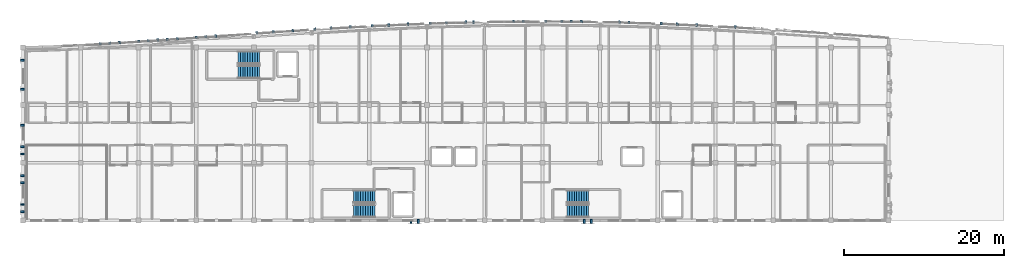
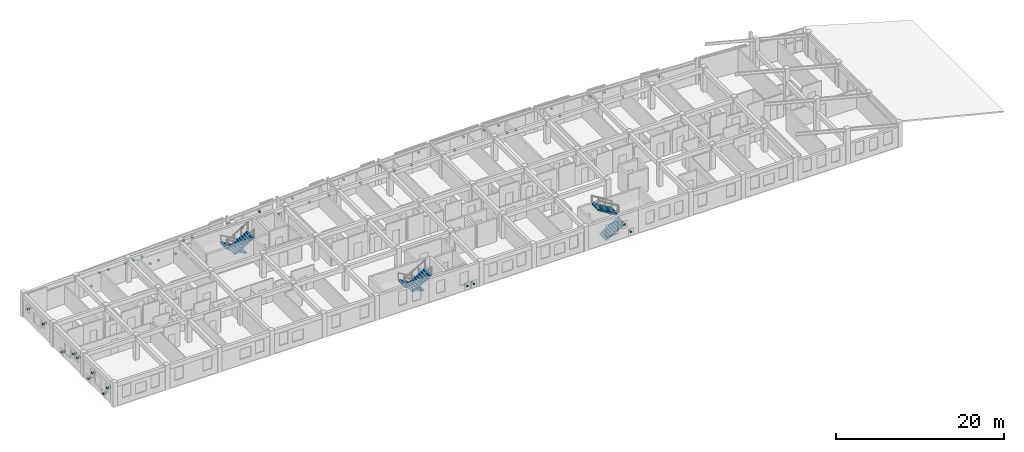
# One storey, part 38 of 41: 49 discrete accessories, 6 stair flights, 3 elements without a shape of their own.
"""IFC4 building model written with IfcOpenShell, lengths in metres."""

import ifcopenshell
import ifcopenshell.guid

model = None  # the IFC model being written
_history = None  # IfcOwnerHistory: only IFC2X3 demands one
_inside = {}  # id of a spatial element -> (the spatial element, [elements in it])
_under = {}  # id of a project, library or spatial element -> (it, [spatial elements below it])
_declared = {}  # id of a project -> (the project, [libraries it declares])
_typed = {}  # id of a type object -> (the type object, [elements of that type])
_made_of = {}  # id of a material, layer set ... -> (it, [elements and type objects made of it])


def new_model(schema):
    """Start an empty IFC model of exactly this schema.

    Asked for "IFC4X3", IfcOpenShell would pick the latest addendum, in which some entities
    have other attributes; the version numbers below select the first issue.
    IFC2X3 requires an IfcOwnerHistory on every rooted entity: one is made here for all.
    """
    global model, _history
    if schema == "IFC4X3":
        model = ifcopenshell.file(schema_version=(4, 3, 0, 0))
    else:
        model = ifcopenshell.file(schema=schema)
    _inside.clear()
    _under.clear()
    _declared.clear()
    _typed.clear()
    _made_of.clear()
    _history = None
    if model.schema == "IFC2X3":
        org = make("IfcOrganization", Name="unknown")
        user = make(
            "IfcPersonAndOrganization",
            ThePerson=make("IfcPerson", FamilyName="unknown"),
            TheOrganization=org,
        )
        app = make(
            "IfcApplication",
            ApplicationDeveloper=org,
            Version="unknown",
            ApplicationFullName="unknown",
            ApplicationIdentifier="unknown",
        )
        _history = make(
            "IfcOwnerHistory",
            OwningUser=user,
            OwningApplication=app,
            ChangeAction="ADDED",
            CreationDate=0,
        )
    return model


def make(cls, **values):
    """One entity of the class cls with the attributes given. An attribute that is None is left unset."""
    return model.create_entity(
        cls, **{name: value for name, value in values.items() if value is not None}
    )


def rooted(cls, **values):
    """An entity with a GlobalId (a new one), such as an element, a storey or a relation."""
    return make(cls, GlobalId=ifcopenshell.guid.new(), OwnerHistory=_history, **values)


def si_unit(unit_type, name, prefix=None):
    """IfcSIUnit, for example si_unit("LENGTHUNIT", "METRE", prefix="MILLI")."""
    return make("IfcSIUnit", UnitType=unit_type, Prefix=prefix, Name=name)


def assignment(units):
    """IfcUnitAssignment: the units of a project."""
    return None if units is None else make("IfcUnitAssignment", Units=units)


def point(xyz):
    """IfcCartesianPoint."""
    return None if xyz is None else make("IfcCartesianPoint", Coordinates=xyz)


def direction(xyz):
    """IfcDirection."""
    return None if xyz is None else make("IfcDirection", DirectionRatios=xyz)


def frame(location, z_axis=None, x_axis=None):
    """IfcAxis2Placement3D, a coordinate frame: its origin and axes. An axis left out is left unset."""
    return make(
        "IfcAxis2Placement3D",
        Location=point(location),
        Axis=direction(z_axis),
        RefDirection=direction(x_axis),
    )


def frame_2d(location, x_axis=None):
    """IfcAxis2Placement2D, a coordinate frame in the plane: its origin and x axis."""
    return make(
        "IfcAxis2Placement2D", Location=point(location), RefDirection=direction(x_axis)
    )


def origin():
    """The frame at (0, 0, 0) with its axes left unset."""
    return frame((0.0, 0.0, 0.0))


def origin_2d():
    """The frame at (0, 0) in the plane with its x axis left unset."""
    return frame_2d((0.0, 0.0))


def place(relative_to, where):
    """IfcLocalPlacement: puts the frame where relative to a parent placement (None: the world)."""
    return make(
        "IfcLocalPlacement", PlacementRelTo=relative_to, RelativePlacement=where
    )


def context(
    kind, dimensions, precision=None, world=None, true_north=None, identifier=None
):
    """IfcGeometricRepresentationContext, for example the 3D "Model" context."""
    return make(
        "IfcGeometricRepresentationContext",
        ContextIdentifier=identifier,
        ContextType=kind,
        CoordinateSpaceDimension=dimensions,
        Precision=precision,
        WorldCoordinateSystem=world,
        TrueNorth=true_north,
    )


def subcontext(parent, identifier, kind, view, scale=None):
    """IfcGeometricRepresentationSubContext, for example "Body" below "Model"."""
    return make(
        "IfcGeometricRepresentationSubContext",
        ContextIdentifier=identifier,
        ContextType=kind,
        ParentContext=parent,
        TargetScale=scale,
        TargetView=view,
    )


def project(units=None, contexts=None):
    """IfcProject with its units and contexts."""
    return rooted(
        "IfcProject",
        Name="project",
        RepresentationContexts=contexts,
        UnitsInContext=assignment(units),
    )


def spatial(cls, under=None, at=None, **own):
    """A site, building, storey or space (cls), placed at a placement, below another one or the project."""
    s = rooted(cls, ObjectPlacement=at, **own)
    if under is not None:
        _under.setdefault(under.id(), (under, []))[1].append(s)
    return s


def polyline(points):
    """IfcPolyline through the points."""
    return make("IfcPolyline", Points=[point(p) for p in points])


def profile(cls, at=None, kind="AREA", **sizes):
    """A parametric profile (cls). Its sizes go by their IFC names, for example OverallWidth=200.0."""
    return make(cls, ProfileType=kind, Position=at, **sizes)


def rectangle(**sizes):
    """IfcRectangleProfileDef."""
    return profile("IfcRectangleProfileDef", **sizes)


def outline(outer, holes=None, kind="AREA"):
    """IfcArbitraryClosedProfileDef: a profile drawn as a closed curve; with holes, ...WithVoids."""
    if holes is None:
        return make("IfcArbitraryClosedProfileDef", ProfileType=kind, OuterCurve=outer)
    return make(
        "IfcArbitraryProfileDefWithVoids",
        ProfileType=kind,
        OuterCurve=outer,
        InnerCurves=holes,
    )


def extrude(swept, where, along, depth):
    """IfcExtrudedAreaSolid: the profile swept, set in the frame where, extruded along a direction by depth."""
    return make(
        "IfcExtrudedAreaSolid",
        SweptArea=swept,
        Position=where,
        ExtrudedDirection=direction(along),
        Depth=depth,
    )


def shape(context_of_items, identifier, shape_type, items):
    """IfcShapeRepresentation: the items that make up one representation, for example the "Body"."""
    return make(
        "IfcShapeRepresentation",
        ContextOfItems=context_of_items,
        RepresentationIdentifier=identifier,
        RepresentationType=shape_type,
        Items=items,
    )


def material(Name=None, Category=None):
    """IfcMaterial."""
    return make("IfcMaterial", Name=Name, Category=Category)


def made_of(thing, what):
    """Note that an element or type object is made of a material, layer set ...; save() writes the relation."""
    if what is not None:
        _made_of.setdefault(what.id(), (what, []))[1].append(thing)
    return thing


def type_object(cls, material=None, **own):
    """A type object (cls), such as IfcWallType, which elements share."""
    return made_of(rooted(cls, **own), material)


def element(
    cls,
    number,
    at=None,
    inside=None,
    cuts=None,
    type_object=None,
    material=None,
    context=None,
    identifier="Body",
    shape_type=None,
    held_by="IfcProductDefinitionShape",
    body=None,
    shapes=None,
    **own,
):
    """One element of the class cls, such as IfcWall. Its Tag is "e" and its number.

    at: its placement. inside: the storey or other place that contains it. cuts: it is an
    opening in that element (IfcRelVoidsElement). A single representation is given by context,
    identifier, shape_type and body (its items); several are given by shapes. held_by: the class
    of the entity that holds the representations. save() writes the other relations.
    """
    e = rooted(cls, Tag="e%d" % number, ObjectPlacement=at, **own)
    if body is not None:
        shapes = [shape(context, identifier, shape_type, body)]
    if shapes is not None:
        e.Representation = make(held_by, Representations=shapes)
    if inside is not None:
        _inside.setdefault(inside.id(), (inside, []))[1].append(e)
    if cuts is not None:
        rooted(
            "IfcRelVoidsElement", RelatingBuildingElement=cuts, RelatedOpeningElement=e
        )
    if type_object is not None:
        _typed.setdefault(type_object.id(), (type_object, []))[1].append(e)
    return made_of(e, material)


def aggregate(whole, parts):
    """IfcRelAggregates: a whole, such as a stair, and the parts it consists of."""
    return rooted("IfcRelAggregates", RelatingObject=whole, RelatedObjects=parts)


def save(model, path):
    """Write the relations noted so far, then the file.

    IfcRelAggregates (storeys below a building ...), IfcRelContainedInSpatialStructure (elements
    in a storey), IfcRelDefinesByType, IfcRelAssociatesMaterial and IfcRelDeclares: one each for
    every whole, place, type object, material and project.
    """
    for whole, parts in _under.values():
        aggregate(whole, parts)
    for where, things in _inside.values():
        rooted(
            "IfcRelContainedInSpatialStructure",
            RelatedElements=things,
            RelatingStructure=where,
        )
    for kind, things in _typed.values():
        rooted("IfcRelDefinesByType", RelatedObjects=things, RelatingType=kind)
    for what, things in _made_of.values():
        rooted("IfcRelAssociatesMaterial", RelatedObjects=things, RelatingMaterial=what)
    for by, libraries in _declared.values():
        rooted("IfcRelDeclares", RelatingContext=by, RelatedDefinitions=libraries)
    model.write(path)


model = new_model("IFC4")

# Units and contexts
model_context = context("Model", 3, precision=1e-05, world=origin(), true_north=direction((0.0, 1.0)))
body_context = subcontext(model_context, "Body", "Model", "MODEL_VIEW")
ifc_project = project(units=[si_unit("LENGTHUNIT", "METRE"), si_unit("AREAUNIT", "SQUARE_METRE"), si_unit("VOLUMEUNIT", "CUBIC_METRE"), si_unit("PLANEANGLEUNIT", "RADIAN"), si_unit("MASSUNIT", "GRAM", prefix="KILO")], contexts=[model_context])

# Site, building, storey
site_placement = place(None, origin())
site = spatial("IfcSite", under=ifc_project, at=site_placement, CompositionType="ELEMENT")
building_placement = place(site_placement, origin())
building = spatial("IfcBuilding", under=site, at=building_placement, Name="Carrowvane Square Congress Hotel", CompositionType="ELEMENT")
storey_placement = place(building_placement, frame((0.0, 0.0, 37.199951171875)))
storey = spatial("IfcBuildingStorey", under=building, at=storey_placement, Name="L09", CompositionType="ELEMENT", Elevation=37.199951171875)

# Stair, stair flights
ifc_material_1 = material(Name="Concrete C35/45", Category="concrete")
stair_type = type_object("IfcStairType", Name="STR-DOG-02", PredefinedType="HALF_TURN_STAIR", material=ifc_material_1)
stair_1_placement = place(storey_placement, origin())
stair_1 = element("IfcStair", 1, at=stair_1_placement, inside=storey, type_object=stair_type, Name="L09 Core C1 West Hotel Firefighting Stair", PredefinedType="HALF_TURN_STAIR")
ifc_material_2 = material(Name="Concrete C35/45", Category="concrete")
stair_flight_type = type_object("IfcStairFlightType", Name="SFL-STR-02", PredefinedType="STRAIGHT", material=ifc_material_2)
stair_flight_1_placement = place(storey_placement, frame((62.719970703125, 112.110107421875, 0.0), z_axis=(0.0, 0.0, 1.0), x_axis=(-1.0, 0.0, 0.0)))
stair_flight_1 = element("IfcStairFlight", 2, at=stair_flight_1_placement, type_object=stair_flight_type, Name="ST1 flight 1", NumberOfRisers=10, NumberOfTreads=9, PredefinedType="STRAIGHT", RiserHeight=0.18, TreadLength=0.3, context=body_context, shape_type="SweptSolid", body=[
    extrude(outline(polyline([(0.0, 0.0), (0.0, 0.179931640625), (0.300048828125, 0.179931640625), (0.300048828125, 0.360107421875), (0.60009765625, 0.360107421875), (0.60009765625, 0.5400390625), (0.89990234375, 0.5400390625), (0.89990234375, 0.719970703125), (1.199951171875, 0.719970703125), (1.199951171875, 0.89990234375), (1.5, 0.89990234375), (1.5, 1.080078125), (1.800048828125, 1.080078125), (1.800048828125, 1.260009765625), (2.10009765625, 1.260009765625), (2.10009765625, 1.43994140625), (2.39990234375, 1.43994140625), (2.39990234375, 1.6201171875), (2.699951171875, 1.6201171875), (2.699951171875, 1.800048828125), (2.699951171875, 1.445068359375), (0.291259765625, 0.0), (0.0, 0.0)])), frame((0.0, 0.7900390625, 0.0), z_axis=(0.0, -1.0, 0.0), x_axis=(1.0, 0.0, 0.0)), (0.0, 0.0, 1.0), 1.580078125),
])
stair_flight_2_placement = place(storey_placement, frame((60.02001953125, 110.330078125, 1.800048828125), z_axis=(0.0, 0.0, 1.0), x_axis=(1.0, 0.0, 0.0)))
stair_flight_2 = element("IfcStairFlight", 3, at=stair_flight_2_placement, type_object=stair_flight_type, Name="ST1 flight 2", NumberOfRisers=10, NumberOfTreads=9, PredefinedType="STRAIGHT", RiserHeight=0.18, TreadLength=0.3, context=body_context, shape_type="SweptSolid", body=[
    extrude(outline(polyline([(0.0, 0.0), (0.0, 0.179931640625), (0.300048828125, 0.179931640625), (0.300048828125, 0.360107421875), (0.60009765625, 0.360107421875), (0.60009765625, 0.5400390625), (0.89990234375, 0.5400390625), (0.89990234375, 0.719970703125), (1.199951171875, 0.719970703125), (1.199951171875, 0.89990234375), (1.5, 0.89990234375), (1.5, 1.080078125), (1.800048828125, 1.080078125), (1.800048828125, 1.260009765625), (2.10009765625, 1.260009765625), (2.10009765625, 1.43994140625), (2.39990234375, 1.43994140625), (2.39990234375, 1.6201171875), (2.699951171875, 1.6201171875), (2.699951171875, 1.800048828125), (2.699951171875, 1.445068359375), (0.291259765625, 0.0), (0.0, 0.0)])), frame((0.0, 0.7900390625, 0.0), z_axis=(0.0, -1.0, 0.0), x_axis=(1.0, 0.0, 0.0)), (0.0, 0.0, 1.0), 1.580078125),
])
aggregate(stair_1, [stair_flight_1, stair_flight_2])

stair_2_placement = place(storey_placement, origin())
stair_2 = element("IfcStair", 4, at=stair_2_placement, inside=storey, type_object=stair_type, Name="L09 Core C2 Central Hotel Firefighting Stair", PredefinedType="HALF_TURN_STAIR")
stair_flight_3_placement = place(storey_placement, frame((77.1201171875, 94.77001953125, 0.0), z_axis=(0.0, 0.0, 1.0), x_axis=(-1.0, 0.0, 0.0)))
stair_flight_3 = element("IfcStairFlight", 5, at=stair_flight_3_placement, type_object=stair_flight_type, Name="ST2 flight 1", NumberOfRisers=10, NumberOfTreads=9, PredefinedType="STRAIGHT", RiserHeight=0.18, TreadLength=0.3, context=body_context, shape_type="SweptSolid", body=[
    extrude(outline(polyline([(0.0, 0.0), (0.0, 0.179931640625), (0.300048828125, 0.179931640625), (0.300048828125, 0.360107421875), (0.60009765625, 0.360107421875), (0.60009765625, 0.5400390625), (0.89990234375, 0.5400390625), (0.89990234375, 0.719970703125), (1.199951171875, 0.719970703125), (1.199951171875, 0.89990234375), (1.5, 0.89990234375), (1.5, 1.080078125), (1.800048828125, 1.080078125), (1.800048828125, 1.260009765625), (2.10009765625, 1.260009765625), (2.10009765625, 1.43994140625), (2.39990234375, 1.43994140625), (2.39990234375, 1.6201171875), (2.699951171875, 1.6201171875), (2.699951171875, 1.800048828125), (2.699951171875, 1.445068359375), (0.291259765625, 0.0), (0.0, 0.0)])), frame((0.0, 0.7900390625, 0.0), z_axis=(0.0, -1.0, 0.0), x_axis=(1.0, 0.0, 0.0)), (0.0, 0.0, 1.0), 1.580078125),
])
stair_flight_4_placement = place(storey_placement, frame((74.419921875, 92.989990234375, 1.800048828125), z_axis=(0.0, 0.0, 1.0), x_axis=(1.0, 0.0, 0.0)))
stair_flight_4 = element("IfcStairFlight", 6, at=stair_flight_4_placement, type_object=stair_flight_type, Name="ST2 flight 2", NumberOfRisers=10, NumberOfTreads=9, PredefinedType="STRAIGHT", RiserHeight=0.18, TreadLength=0.3, context=body_context, shape_type="SweptSolid", body=[
    extrude(outline(polyline([(0.0, 0.0), (0.0, 0.179931640625), (0.300048828125, 0.179931640625), (0.300048828125, 0.360107421875), (0.60009765625, 0.360107421875), (0.60009765625, 0.5400390625), (0.89990234375, 0.5400390625), (0.89990234375, 0.719970703125), (1.199951171875, 0.719970703125), (1.199951171875, 0.89990234375), (1.5, 0.89990234375), (1.5, 1.080078125), (1.800048828125, 1.080078125), (1.800048828125, 1.260009765625), (2.10009765625, 1.260009765625), (2.10009765625, 1.43994140625), (2.39990234375, 1.43994140625), (2.39990234375, 1.6201171875), (2.699951171875, 1.6201171875), (2.699951171875, 1.800048828125), (2.699951171875, 1.445068359375), (0.291259765625, 0.0), (0.0, 0.0)])), frame((0.0, 0.7900390625, 0.0), z_axis=(0.0, -1.0, 0.0), x_axis=(1.0, 0.0, 0.0)), (0.0, 0.0, 1.0), 1.580078125),
])
aggregate(stair_2, [stair_flight_3, stair_flight_4])

stair_3_placement = place(storey_placement, origin())
stair_3 = element("IfcStair", 7, at=stair_3_placement, inside=storey, type_object=stair_type, Name="L09 Core C3 East Hotel Escape Stair", PredefinedType="HALF_TURN_STAIR")
stair_flight_5_placement = place(storey_placement, frame((101.080078125, 92.989990234375, 0.0), z_axis=(0.0, 0.0, 1.0), x_axis=(1.0, 0.0, 0.0)))
stair_flight_5 = element("IfcStairFlight", 8, at=stair_flight_5_placement, type_object=stair_flight_type, Name="ST3 flight 1", NumberOfRisers=10, NumberOfTreads=9, PredefinedType="STRAIGHT", RiserHeight=0.18, TreadLength=0.3, context=body_context, shape_type="SweptSolid", body=[
    extrude(outline(polyline([(0.0, 0.0), (0.0, 0.179931640625), (0.300048828125, 0.179931640625), (0.300048828125, 0.360107421875), (0.60009765625, 0.360107421875), (0.60009765625, 0.5400390625), (0.89990234375, 0.5400390625), (0.89990234375, 0.719970703125), (1.199951171875, 0.719970703125), (1.199951171875, 0.89990234375), (1.5, 0.89990234375), (1.5, 1.080078125), (1.800048828125, 1.080078125), (1.800048828125, 1.260009765625), (2.10009765625, 1.260009765625), (2.10009765625, 1.43994140625), (2.39990234375, 1.43994140625), (2.39990234375, 1.6201171875), (2.699951171875, 1.6201171875), (2.699951171875, 1.800048828125), (2.699951171875, 1.445068359375), (0.291259765625, 0.0), (0.0, 0.0)])), frame((0.0, 0.7900390625, 0.0), z_axis=(0.0, -1.0, 0.0), x_axis=(1.0, 0.0, 0.0)), (0.0, 0.0, 1.0), 1.580078125),
])
stair_flight_6_placement = place(storey_placement, frame((103.780029296875, 94.77001953125, 1.800048828125), z_axis=(0.0, 0.0, 1.0), x_axis=(-1.0, 0.0, 0.0)))
stair_flight_6 = element("IfcStairFlight", 9, at=stair_flight_6_placement, type_object=stair_flight_type, Name="ST3 flight 2", NumberOfRisers=10, NumberOfTreads=9, PredefinedType="STRAIGHT", RiserHeight=0.18, TreadLength=0.3, context=body_context, shape_type="SweptSolid", body=[
    extrude(outline(polyline([(0.0, 0.0), (0.0, 0.179931640625), (0.300048828125, 0.179931640625), (0.300048828125, 0.360107421875), (0.60009765625, 0.360107421875), (0.60009765625, 0.5400390625), (0.89990234375, 0.5400390625), (0.89990234375, 0.719970703125), (1.199951171875, 0.719970703125), (1.199951171875, 0.89990234375), (1.5, 0.89990234375), (1.5, 1.080078125), (1.800048828125, 1.080078125), (1.800048828125, 1.260009765625), (2.10009765625, 1.260009765625), (2.10009765625, 1.43994140625), (2.39990234375, 1.43994140625), (2.39990234375, 1.6201171875), (2.699951171875, 1.6201171875), (2.699951171875, 1.800048828125), (2.699951171875, 1.445068359375), (0.291259765625, 0.0), (0.0, 0.0)])), frame((0.0, 0.7900390625, 0.0), z_axis=(0.0, -1.0, 0.0), x_axis=(1.0, 0.0, 0.0)), (0.0, 0.0, 1.0), 1.580078125),
])
aggregate(stair_3, [stair_flight_5, stair_flight_6])

# Discrete accessories
ifc_material_3 = material(Name="Stainless steel 316", Category="steel")
discrete_accessory_type = type_object("IfcDiscreteAccessoryType", Name="ACC-BRK-SS", PredefinedType="BRACKET", material=ifc_material_3)
for number, where, z_axis, x_axis, name in (
    (10, (42.8251953125, 113.863037109375, 0.56005859375), (0.0, 0.0, 1.0), (0.998258866948, 0.05898503675, 0.0), "Pixel screen mullion bracket 867"),
    (11, (43.995361328125, 113.93212890625, 2.0302734375), (0.0, 0.0, 1.0), (0.998258866948, 0.05898503675, 0.0), "Pixel screen mullion bracket 868"),
    (12, (45.22998046875, 114.005126953125, 2.0302734375), (0.0, 0.0, 1.0), (0.997996022269, 0.063276690295, 0.0), "Pixel screen mullion bracket 869"),
    (13, (47.62451171875, 114.1572265625, 2.0302734375), (0.0, 0.0, 1.0), (0.997781458784, 0.066574473385, 0.0), "Pixel screen mullion bracket 870"),
    (14, (48.794677734375, 114.2353515625, 2.0302734375), (0.0, 0.0, 1.0), (0.997781458784, 0.066574473385, 0.0), "Pixel screen mullion bracket 871"),
    (15, (50.029296875, 114.317626953125, 2.0302734375), (0.0, 0.0, 1.0), (0.99761759323, 0.068986503591, 0.0), "Pixel screen mullion bracket 872"),
    (16, (51.194580078125, 114.398193359375, 0.56005859375), (0.0, 0.0, 1.0), (0.99761759323, 0.068986503591, 0.0), "Pixel screen mullion bracket 873"),
    (17, (52.42431640625, 114.4833984375, 0.56005859375), (0.0, 0.0, 1.0), (0.997505756275, 0.070585169822, 0.0), "Pixel screen mullion bracket 874"),
    (18, (54.8291015625, 114.653564453125, 0.56005859375), (0.0, 0.0, 1.0), (0.997446326449, 0.071420066188, 0.0), "Pixel screen mullion bracket 875"),
    (19, (55.994384765625, 114.737060546875, 2.0302734375), (0.0, 0.0, 1.0), (0.997446326449, 0.071420066188, 0.0), "Pixel screen mullion bracket 876"),
    (20, (57.22412109375, 114.824951171875, 2.0302734375), (0.0, 0.0, 1.0), (0.997438267187, 0.071532532122, 0.0), "Pixel screen mullion bracket 877"),
    (21, (62.381591796875, 115.19287109375, 2.0302734375), (0.0, 0.0, 1.0), (0.997566258056, 0.069724893606, 0.0), "Pixel screen mullion bracket 878"),
    (22, (64.429443359375, 115.3359375, 0.56005859375), (0.0, 0.0, 1.0), (0.9976944394, 0.067866085713, 0.0), "Pixel screen mullion bracket 879"),
    (23, (66.82470703125, 115.498779296875, 2.0302734375), (0.0, 0.0, 1.0), (0.99785825325, 0.065413350476, 0.0), "Pixel screen mullion bracket 880"),
    (24, (69.58984375, 115.6787109375, 0.56005859375), (0.0, 0.0, 1.0), (0.998051413269, 0.062396926785, 0.0), "Pixel screen mullion bracket 881"),
    (25, (71.625244140625, 115.805908203125, 2.0302734375), (0.0, 0.0, 1.0), (0.998266695506, 0.05885239709, 0.0), "Pixel screen mullion bracket 882"),
    (26, (74.030517578125, 115.947509765625, 0.56005859375), (0.0, 0.0, 1.0), (0.998496552462, 0.054814548441, 0.0), "Pixel screen mullion bracket 883"),
    (27, (76.79052734375, 116.097412109375, 0.56005859375), (0.0, 0.0, 1.0), (0.998733066647, 0.050321581706, 0.0), "Pixel screen mullion bracket 884"),
    (28, (78.831298828125, 116.199951171875, 2.0302734375), (0.0, 0.0, 1.0), (0.998968255262, 0.045413929349, 0.0), "Pixel screen mullion bracket 885"),
    (29, (81.226806640625, 116.308837890625, 0.56005859375), (0.0, 0.0, 1.0), (0.999194294234, 0.040134304148, 0.0), "Pixel screen mullion bracket 886"),
    (30, (84.002685546875, 116.41796875, 2.0302734375), (0.0, 0.0, 1.0), (0.999403768784, 0.034526901703, 0.0), "Pixel screen mullion bracket 887"),
    (31, (86.027587890625, 116.48779296875, 0.56005859375), (0.0, 0.0, 1.0), (0.999589805464, 0.028639497417, 0.0), "Pixel screen mullion bracket 888"),
    (32, (88.43310546875, 116.556396484375, 0.56005859375), (0.0, 0.0, 1.0), (0.999746418061, 0.022518871507, 0.0), "Pixel screen mullion bracket 889"),
    (33, (89.402099609375, 116.578369140625, 2.0302734375), (0.0, 0.0, 1.0), (0.999746418061, 0.022518871507, 0.0), "Pixel screen mullion bracket 890"),
    (34, (94.399169921875, 116.660400390625, 0.56005859375), (0.0, 0.0, 1.0), (0.999952150705, 0.009782448565, 0.0), "Pixel screen mullion bracket 891"),
    (35, (95.629638671875, 116.67236328125, 2.0302734375), (0.0, 0.0, 1.0), (0.999994654955, 0.003269565853, 0.0), "Pixel screen mullion bracket 892"),
    (36, (98.420166015625, 116.6787109375, 2.0302734375), (0.0, 0.0, 1.0), (0.999994654955, -0.003269565853, 0.0), "Pixel screen mullion bracket 893"),
    (37, (100.4306640625, 116.671875, 2.0302734375), (0.0, 0.0, 1.0), (0.999952150705, -0.009782448565, 0.0), "Pixel screen mullion bracket 894"),
    (38, (101.600830078125, 116.660400390625, 0.56005859375), (0.0, 0.0, 1.0), (0.999952150705, -0.009782448565, 0.0), "Pixel screen mullion bracket 895"),
    (39, (102.836181640625, 116.648193359375, 0.56005859375), (0.0, 0.0, 1.0), (0.999868508772, -0.016216200758, 0.0), "Pixel screen mullion bracket 896"),
    (40, (107.63720703125, 116.5546875, 2.0302734375), (0.0, 0.0, 1.0), (0.999589805464, -0.028639497417, 0.0), "Pixel screen mullion bracket 897"),
    (41, (108.80224609375, 116.521240234375, 0.56005859375), (0.0, 0.0, 1.0), (0.999589805464, -0.028639497417, 0.0), "Pixel screen mullion bracket 898"),
    (42, (112.837158203125, 116.386474609375, 2.0302734375), (0.0, 0.0, 1.0), (0.999194294234, -0.040134304148, 0.0), "Pixel screen mullion bracket 899"),
    (43, (114.83349609375, 116.30615234375, 2.0302734375), (0.0, 0.0, 1.0), (0.998968255262, -0.045413929349, 0.0), "Pixel screen mullion bracket 900"),
    (44, (117.239013671875, 116.196533203125, 0.56005859375), (0.0, 0.0, 1.0), (0.998733066647, -0.050321581706, 0.0), "Pixel screen mullion bracket 901"),
    (45, (122.03955078125, 115.943603515625, 2.0302734375), (0.0, 0.0, 1.0), (0.998266695506, -0.05885239709, 0.0), "Pixel screen mullion bracket 902"),
):
    element("IfcDiscreteAccessory", number, at=place(storey_placement, frame(where, z_axis=z_axis, x_axis=x_axis)), inside=storey, type_object=discrete_accessory_type, Name=name, PredefinedType="BRACKET", context=body_context, shape_type="SweptSolid", body=[
        extrude(rectangle(XDim=0.239990234375, YDim=0.280029296875, at=origin_2d()), origin(), (0.0, 0.0, 1.0), 0.239990234375),
    ])
for number, where, z_axis, x_axis, name in (
    (46, (104.10009765625, 91.675048828125, 0.56005859375), (0.0, 0.0, 1.0), (-1.0, 0.0, 0.0), "V5 pixel screen bracket 918"),
    (47, (103.199951171875, 91.675048828125, 1.93017578125), (0.0, 0.0, 1.0), (-1.0, 0.0, 0.0), "V5 pixel screen bracket 919"),
    (48, (82.5, 91.675048828125, 0.56005859375), (0.0, 0.0, 1.0), (-1.0, 0.0, 0.0), "V5 pixel screen bracket 920"),
    (49, (81.60009765625, 91.675048828125, 0.56005859375), (0.0, 0.0, 1.0), (-1.0, 0.0, 0.0), "V5 pixel screen bracket 921"),
    (50, (33.074951171875, 92.89990234375, 1.93017578125), (0.0, 0.0, 1.0), (0.0, 1.0, 0.0), "V5 pixel screen bracket 922"),
    (51, (33.074951171875, 93.800048828125, 0.56005859375), (0.0, 0.0, 1.0), (0.0, 1.0, 0.0), "V5 pixel screen bracket 923"),
    (52, (33.074951171875, 96.5, 1.93017578125), (0.0, 0.0, 1.0), (0.0, 1.0, 0.0), "V5 pixel screen bracket 924"),
    (53, (33.074951171875, 97.39990234375, 0.56005859375), (0.0, 0.0, 1.0), (0.0, 1.0, 0.0), "V5 pixel screen bracket 925"),
    (54, (33.074951171875, 100.10009765625, 1.93017578125), (0.0, 0.0, 1.0), (0.0, 1.0, 0.0), "V5 pixel screen bracket 926"),
    (55, (33.074951171875, 101.0, 1.93017578125), (0.0, 0.0, 1.0), (0.0, 1.0, 0.0), "V5 pixel screen bracket 927"),
    (56, (33.074951171875, 103.699951171875, 0.56005859375), (0.0, 0.0, 1.0), (0.0, 1.0, 0.0), "V5 pixel screen bracket 928"),
    (57, (33.074951171875, 108.199951171875, 1.93017578125), (0.0, 0.0, 1.0), (0.0, 1.0, 0.0), "V5 pixel screen bracket 929"),
    (58, (33.074951171875, 111.800048828125, 1.93017578125), (0.0, 0.0, 1.0), (0.0, 1.0, 0.0), "V5 pixel screen bracket 930"),
):
    element("IfcDiscreteAccessory", number, at=place(storey_placement, frame(where, z_axis=z_axis, x_axis=x_axis)), inside=storey, type_object=discrete_accessory_type, Name=name, PredefinedType="BRACKET", context=body_context, shape_type="SweptSolid", body=[
        extrude(rectangle(XDim=0.239990234375, YDim=0.52001953125, at=origin_2d()), origin(), (0.0, 0.0, 1.0), 0.239990234375),
    ])

save(model, "model.ifc")
